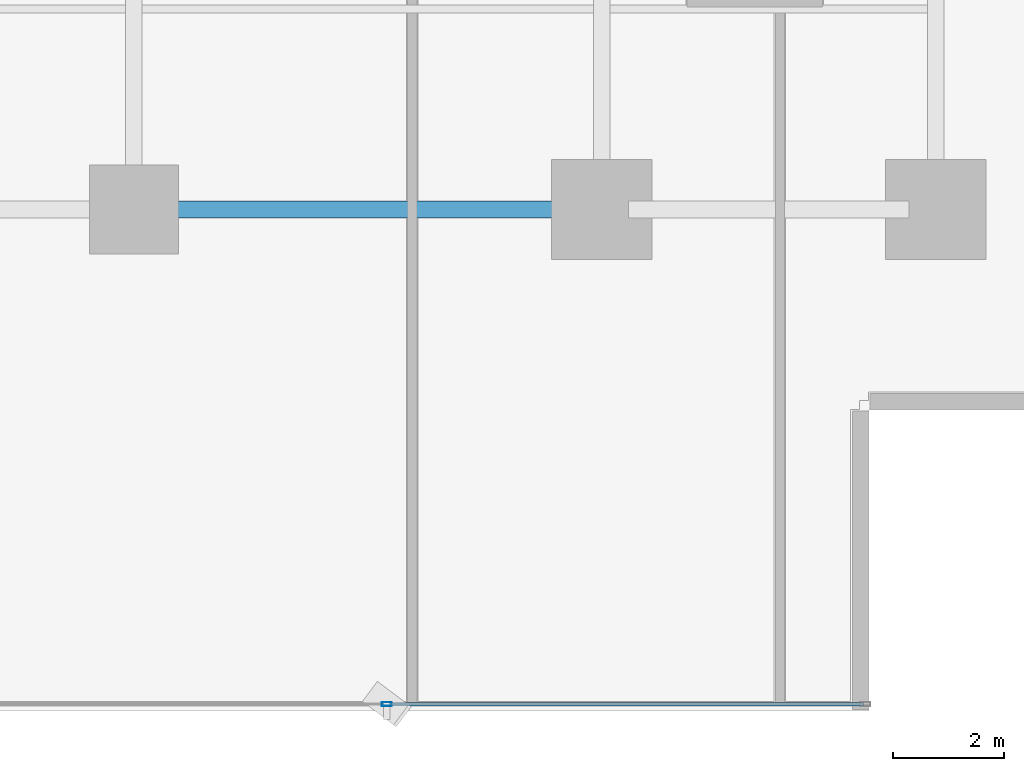
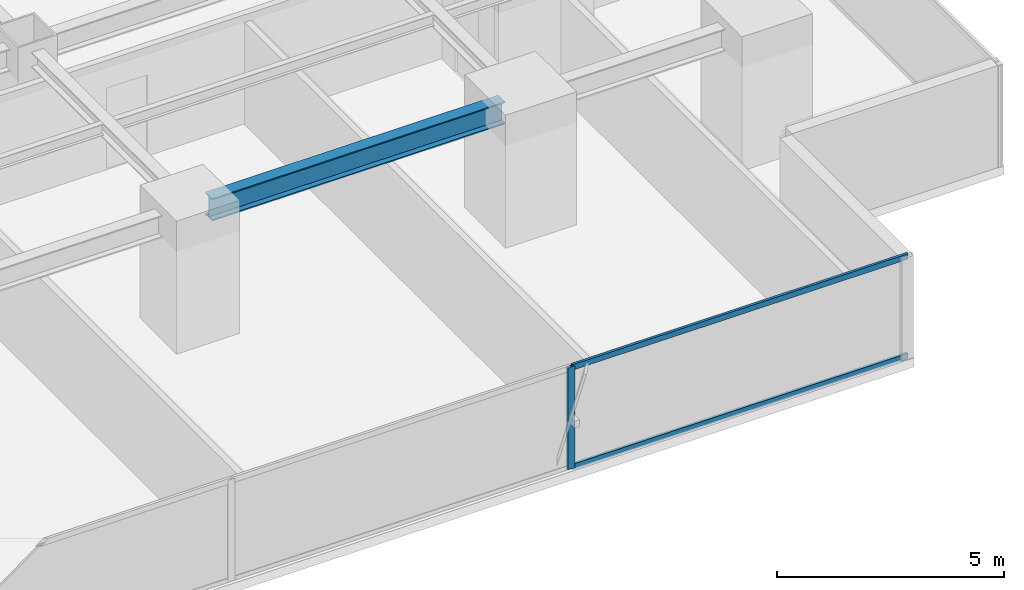
# One storey, part 11 of 34: 3 members, 1 beam, 1 element without a shape of its own.
"""IFC4 building model written with IfcOpenShell, lengths in metres."""

from ifc_helpers import new_model, si_unit, direction, frame, origin, origin_2d, place, context, subcontext, project, spatial, hollow_rectangle, i_section, extrude, source, transform, mapped, material, layer, layer_set, material_profile, profile_set, type_object, element, aggregate, save


model = new_model("IFC4")

# Units and contexts
model_context = context("Model", 3, precision=1e-05, world=origin(), true_north=direction((0.0, 1.0)))
body_context = subcontext(model_context, "Body", "Model", "MODEL_VIEW")
ifc_project = project(units=[si_unit("LENGTHUNIT", "METRE"), si_unit("AREAUNIT", "SQUARE_METRE"), si_unit("VOLUMEUNIT", "CUBIC_METRE"), si_unit("PLANEANGLEUNIT", "RADIAN"), si_unit("MASSUNIT", "GRAM", prefix="KILO")], contexts=[model_context])

# Site, building, storey
site_placement = place(None, origin())
site = spatial("IfcSite", under=ifc_project, at=site_placement, CompositionType="ELEMENT")
building_placement = place(site_placement, origin())
building = spatial("IfcBuilding", under=site, at=building_placement, Name="Sumidabori Civic Tower", CompositionType="ELEMENT")
storey_placement = place(building_placement, frame((0.0, 0.0, 56.0)))
storey = spatial("IfcBuildingStorey", under=building, at=storey_placement, Name="L14", CompositionType="ELEMENT", Elevation=56.0)

# Beam
ifc_material_1 = material(Name="Steel SN490", Category="steel")
ifc_material_profile_1 = material_profile(ifc_material_1, i_section(OverallWidth=0.300048828125, OverallDepth=0.60009765625, WebThickness=0.015380859375, FlangeThickness=0.030029296875, at=origin_2d()), Name="HE 600 B")
ifc_profile_set_1 = profile_set([ifc_material_profile_1], Name="Steel SN490")
beam_type = type_object("IfcBeamType", Name="BM-GIRD-600", PredefinedType="BEAM", material=ifc_profile_set_1)
shared_shape_1 = source(origin(), body_context, "Body", "SweptSolid", [
    extrude(i_section(OverallWidth=0.300048828125, OverallDepth=0.60009765625, WebThickness=0.015380859375, FlangeThickness=0.030029296875, at=origin_2d()), origin(), (0.0, 0.0, 1.0), 7.440185546875),
])
beam_placement = place(storey_placement, frame((8.8798828125, -18.0, 3.06005859375), z_axis=(1.0, 0.0, 0.0), x_axis=(0.0, 1.0, 0.0)))
element("IfcBeam", 1, at=beam_placement, inside=storey, type_object=beam_type, Name="Primary Girder L14 GX-05", PredefinedType="BEAM", context=body_context, shape_type="MappedRepresentation", body=[
    mapped(shared_shape_1, transform((0.0, 0.0, 0.0), x_axis=(1.0, 0.0, 0.0), y_axis=(0.0, 1.0, 0.0), z_axis=(0.0, 0.0, 1.0), scale=1.0)),
])

# Curtain wall, members
ifc_material_2 = material(Name="Anodised Bronze Aluminium AW-6063-T6", Category="aluminium")
ifc_layer = layer(ifc_material_2, 0.179931640625, Name="Anodised Bronze Aluminium AW-6063-T6")
ifc_layer_set = layer_set([ifc_layer], Name="Anodised Bronze Aluminium AW-6063-T6")
curtain_wall_type = type_object("IfcCurtainWallType", Name="CW-SYS-2", PredefinedType="NOTDEFINED", material=ifc_layer_set)
curtain_wall_placement = place(storey_placement, origin())
curtain_wall = element("IfcCurtainWall", 2, at=curtain_wall_placement, inside=storey, type_object=curtain_wall_type, Name="Curtain Wall CW:L14:R01", PredefinedType="NOTDEFINED")
ifc_material_profile_2 = material_profile(ifc_material_2, hollow_rectangle(XDim=0.070068359375, YDim=0.179931640625, WallThickness=0.006103515625, at=origin_2d()), Name="ALU MULLION 180x70")
ifc_profile_set_2 = profile_set([ifc_material_profile_2], Name="Anodised Bronze Aluminium AW-6063-T6")
member_type_1 = type_object("IfcMemberType", Name="CW-MUL-180", PredefinedType="MULLION", material=ifc_profile_set_2)
shared_shape_2 = source(origin(), body_context, "Body", "SweptSolid", [
    extrude(hollow_rectangle(XDim=0.070068359375, YDim=0.179931640625, WallThickness=0.006103515625, at=origin_2d()), origin(), (0.0, 0.0, 1.0), 2.739990234375),
])
member_1_placement = place(storey_placement, frame((12.94189453125, -26.8798828125, 0.0), z_axis=(0.0, 0.0, 1.0), x_axis=(0.0, 1.0, 0.0)))
member_1 = element("IfcMember", 3, at=member_1_placement, type_object=member_type_1, Name="CW-2 mullion 5", PredefinedType="MULLION", context=body_context, shape_type="MappedRepresentation", body=[
    mapped(shared_shape_2, transform((0.0, 0.0, 0.0), x_axis=(1.0, 0.0, 0.0), y_axis=(0.0, 1.0, 0.0), z_axis=(0.0, 0.0, 1.0), scale=1.0)),
])
ifc_material_profile_3 = material_profile(ifc_material_2, hollow_rectangle(XDim=0.06494140625, YDim=0.14990234375, WallThickness=0.0048828125, at=origin_2d()), Name="ALU TRANSOM 150x65")
ifc_profile_set_3 = profile_set([ifc_material_profile_3], Name="Anodised Bronze Aluminium AW-6063-T6")
member_type_2 = type_object("IfcMemberType", Name="CW-TRN-150", PredefinedType="USERDEFINED", material=ifc_profile_set_3)
shared_shape_3 = source(origin(), body_context, "Body", "SweptSolid", [
    extrude(hollow_rectangle(XDim=0.06494140625, YDim=0.14990234375, WallThickness=0.0048828125, at=origin_2d()), origin(), (0.0, 0.0, 1.0), 8.52294921875),
])
member_2_placement = place(storey_placement, frame((12.97705078125, -26.8798828125, 0.032470703125), z_axis=(1.0, 0.0, 0.0), x_axis=(0.0, 1.0, 0.0)))
member_2 = element("IfcMember", 4, at=member_2_placement, type_object=member_type_2, Name="CW-2 transom 5.1", ObjectType="TRANSOM", PredefinedType="USERDEFINED", context=body_context, shape_type="MappedRepresentation", body=[
    mapped(shared_shape_3, transform((0.0, 0.0, 0.0), x_axis=(1.0, 0.0, 0.0), y_axis=(0.0, 1.0, 0.0), z_axis=(0.0, 0.0, 1.0), scale=1.0)),
])
member_3_placement = place(storey_placement, frame((12.97705078125, -26.8798828125, 2.70751953125), z_axis=(1.0, 0.0, 0.0), x_axis=(0.0, 1.0, 0.0)))
member_3 = element("IfcMember", 5, at=member_3_placement, type_object=member_type_2, Name="CW-2 transom 5.2", ObjectType="TRANSOM", PredefinedType="USERDEFINED", context=body_context, shape_type="MappedRepresentation", body=[
    mapped(shared_shape_3, transform((0.0, 0.0, 0.0), x_axis=(1.0, 0.0, 0.0), y_axis=(0.0, 1.0, 0.0), z_axis=(0.0, 0.0, 1.0), scale=1.0)),
])
aggregate(curtain_wall, [member_1, member_2, member_3])

save(model, "model.ifc")
